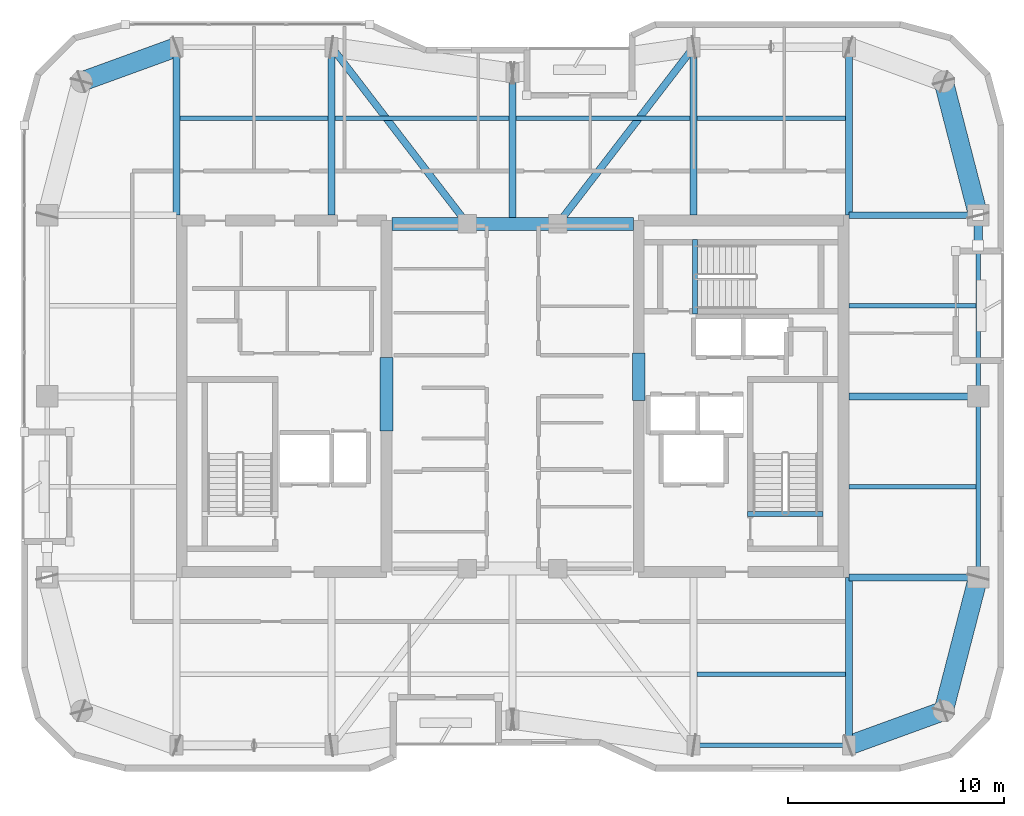
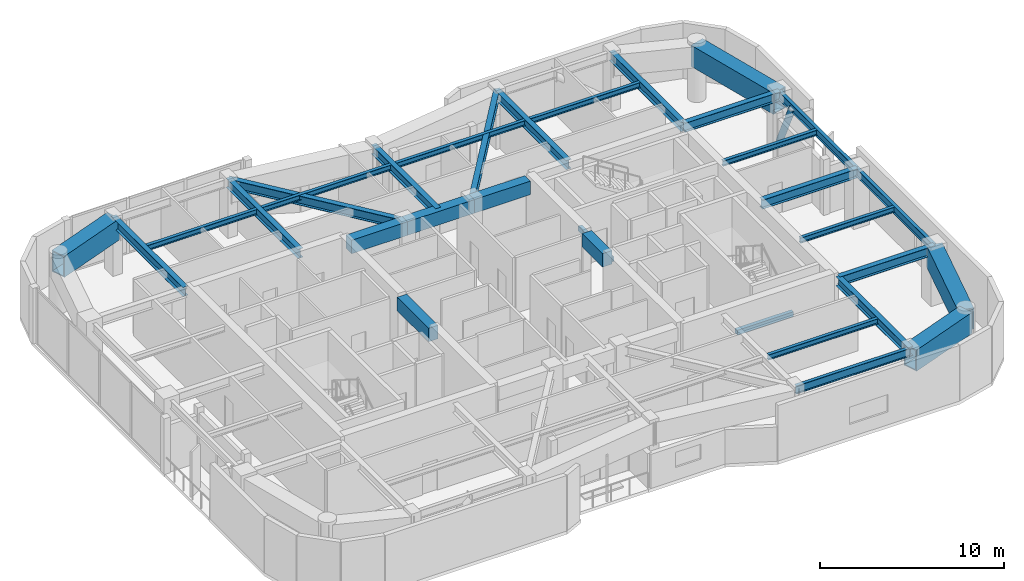
# One storey, part 5 of 15: 32 beams, 1 member.
"""IFC4 building model written with IfcOpenShell, lengths in metres."""

from ifc_helpers import new_model, si_unit, direction, frame, origin, origin_2d, place, context, subcontext, project, spatial, rectangle, hollow_rectangle, hollow_circle, i_section, extrude, material, material_profile, profile_set, type_object, element, save


model = new_model("IFC4")

# Units and contexts
model_context = context("Model", 3, precision=1e-05, world=origin(), true_north=direction((0.0, 1.0)))
body_context = subcontext(model_context, "Body", "Model", "MODEL_VIEW")
ifc_project = project(units=[si_unit("LENGTHUNIT", "METRE"), si_unit("AREAUNIT", "SQUARE_METRE"), si_unit("VOLUMEUNIT", "CUBIC_METRE"), si_unit("PLANEANGLEUNIT", "RADIAN"), si_unit("MASSUNIT", "GRAM", prefix="KILO")], contexts=[model_context])

# Site, building, storey
site_placement = place(None, origin())
site = spatial("IfcSite", under=ifc_project, at=site_placement, CompositionType="ELEMENT")
building_placement = place(site_placement, origin())
building = spatial("IfcBuilding", under=site, at=building_placement, Name="Kiyonajd Concourse Tower", CompositionType="ELEMENT")
storey_placement = place(building_placement, frame((0.0, 0.0, 274.5)))
storey = spatial("IfcBuildingStorey", under=building, at=storey_placement, Name="L69", CompositionType="ELEMENT", Elevation=274.5)

# Beams
ifc_material_1 = material(Name="Concrete C60/75", Category="concrete")
ifc_material_profile_1 = material_profile(ifc_material_1, rectangle(XDim=0.60009765625, YDim=0.89990234375, at=origin_2d()), Name="RCBM-600x900")
ifc_profile_set_1 = profile_set([ifc_material_profile_1], Name="Concrete C60/75")
beam_type_1 = type_object("IfcBeamType", Name="BM-COUP-900", PredefinedType="LINTEL", material=ifc_profile_set_1)
beam_1_placement = place(storey_placement, frame((42.39990234375, 44.0, 3.22998046875), z_axis=(1.0, 0.0, 0.0), x_axis=(0.0, 1.0, 0.0)))
element("IfcBeam", 1, at=beam_1_placement, inside=storey, type_object=beam_type_1, Name="L69 Core Coupling Beam N1", PredefinedType="LINTEL", context=body_context, shape_type="SweptSolid", body=[
    extrude(rectangle(XDim=0.60009765625, YDim=0.89990234375, at=origin_2d()), origin(), (0.0, 0.0, 1.0), 3.5),
])
beam_2_placement = place(storey_placement, frame((45.89990234375, 44.0, 3.22998046875), z_axis=(1.0, 0.0, 0.0), x_axis=(0.0, 1.0, 0.0)))
element("IfcBeam", 2, at=beam_2_placement, inside=storey, type_object=beam_type_1, Name="L69 Core Coupling Beam N2", PredefinedType="LINTEL", context=body_context, shape_type="SweptSolid", body=[
    extrude(rectangle(XDim=0.60009765625, YDim=0.89990234375, at=origin_2d()), origin(), (0.0, 0.0, 1.0), 4.2001953125),
])
beam_3_placement = place(storey_placement, frame((50.10009765625, 44.0, 3.22998046875), z_axis=(1.0, 0.0, 0.0), x_axis=(0.0, 1.0, 0.0)))
element("IfcBeam", 3, at=beam_3_placement, inside=storey, type_object=beam_type_1, Name="L69 Core Coupling Beam N3", PredefinedType="LINTEL", context=body_context, shape_type="SweptSolid", body=[
    extrude(rectangle(XDim=0.60009765625, YDim=0.89990234375, at=origin_2d()), origin(), (0.0, 0.0, 1.0), 3.5),
])
beam_4_placement = place(storey_placement, frame((42.14990234375, 34.39990234375, 3.22998046875), z_axis=(0.0, 1.0, 0.0), x_axis=(-1.0, 0.0, 0.0)))
element("IfcBeam", 4, at=beam_4_placement, inside=storey, type_object=beam_type_1, Name="L69 West Core Throat Coupling Lintel", PredefinedType="LINTEL", context=body_context, shape_type="SweptSolid", body=[
    extrude(rectangle(XDim=0.60009765625, YDim=0.89990234375, at=origin_2d()), origin(), (0.0, 0.0, 1.0), 3.400146484375),
])
beam_5_placement = place(storey_placement, frame((53.85009765625, 35.800048828125, 3.22998046875), z_axis=(0.0, 1.0, 0.0), x_axis=(-1.0, 0.0, 0.0)))
element("IfcBeam", 5, at=beam_5_placement, inside=storey, type_object=beam_type_1, Name="L69 East Core Throat Coupling Lintel", PredefinedType="LINTEL", context=body_context, shape_type="SweptSolid", body=[
    extrude(rectangle(XDim=0.60009765625, YDim=0.89990234375, at=origin_2d()), origin(), (0.0, 0.0, 1.0), 2.199951171875),
])
ifc_material_2 = material(Name="Steel ASTM A992 Grade 50", Category="steel")
ifc_material_profile_2 = material_profile(ifc_material_2, i_section(OverallWidth=0.205078125, OverallDepth=0.35400390625, WebThickness=0.009521484375, FlangeThickness=0.016845703125, at=origin_2d()), Name="W360X79")
ifc_profile_set_2 = profile_set([ifc_material_profile_2], Name="Steel ASTM A992 Grade 50")
beam_type_2 = type_object("IfcBeamType", Name="BM-JST-360", PredefinedType="JOIST", material=ifc_profile_set_2)
for number, where, z_axis, x_axis, name in (
    (6, (56.56201171875, 23.10009765625, 3.5029296875), (1.0, 0.0, 0.0), (0.0, 1.0, 0.0), "L69 Secondary Floor Joist"),
    (7, (32.56201171875, 48.89990234375, 3.5029296875), (1.0, 0.0, 0.0), (0.0, 1.0, 0.0), "L69 Secondary Floor Joist"),
):
    element("IfcBeam", number, at=place(storey_placement, frame(where, z_axis=z_axis, x_axis=x_axis)), inside=storey, type_object=beam_type_2, Name=name, PredefinedType="JOIST", context=body_context, shape_type="SweptSolid", body=[
        extrude(i_section(OverallWidth=0.205078125, OverallDepth=0.35400390625, WebThickness=0.009521484375, FlangeThickness=0.016845703125, at=origin_2d()), origin(), (0.0, 0.0, 1.0), 6.8759765625),
    ])
for number, where, z_axis, x_axis, name in (
    (8, (39.761962890625, 48.89990234375, 3.5029296875), (1.0, 0.0, 0.0), (0.0, 1.0, 0.0), "L69 Secondary Floor Joist"),
    (9, (48.162109375, 48.89990234375, 3.5029296875), (1.0, 0.0, 0.0), (0.0, 1.0, 0.0), "L69 Secondary Floor Joist"),
):
    element("IfcBeam", number, at=place(storey_placement, frame(where, z_axis=z_axis, x_axis=x_axis)), inside=storey, type_object=beam_type_2, Name=name, PredefinedType="JOIST", context=body_context, shape_type="SweptSolid", body=[
        extrude(i_section(OverallWidth=0.205078125, OverallDepth=0.35400390625, WebThickness=0.009521484375, FlangeThickness=0.016845703125, at=origin_2d()), origin(), (0.0, 0.0, 1.0), 8.075927734375),
    ])
beam_6_placement = place(storey_placement, frame((56.56201171875, 48.89990234375, 3.5029296875), z_axis=(1.0, 0.0, 0.0), x_axis=(0.0, 1.0, 0.0)))
element("IfcBeam", 10, at=beam_6_placement, inside=storey, type_object=beam_type_2, Name="L69 Secondary Floor Joist", PredefinedType="JOIST", context=body_context, shape_type="SweptSolid", body=[
    extrude(i_section(OverallWidth=0.205078125, OverallDepth=0.35400390625, WebThickness=0.009521484375, FlangeThickness=0.016845703125, at=origin_2d()), origin(), (0.0, 0.0, 1.0), 6.8759765625),
])
for number, where, z_axis, x_axis, name in (
    (11, (63.60009765625, 31.800048828125, 3.5029296875), (1.0, 0.0, 0.0), (0.0, 1.0, 0.0), "L69 East Secondary Floor Joist"),
    (12, (63.60009765625, 40.199951171875, 3.5029296875), (1.0, 0.0, 0.0), (0.0, 1.0, 0.0), "L69 East Secondary Floor Joist"),
):
    element("IfcBeam", number, at=place(storey_placement, frame(where, z_axis=z_axis, x_axis=x_axis)), inside=storey, type_object=beam_type_2, Name=name, PredefinedType="JOIST", context=body_context, shape_type="SweptSolid", body=[
        extrude(i_section(OverallWidth=0.205078125, OverallDepth=0.35400390625, WebThickness=0.009521484375, FlangeThickness=0.016845703125, at=origin_2d()), origin(), (0.0, 0.0, 1.0), 5.894287109375),
    ])
ifc_material_3 = material(Name="Concrete C50/60", Category="concrete")
ifc_material_profile_3 = material_profile(ifc_material_3, rectangle(XDim=0.239990234375, YDim=0.320068359375, at=origin_2d()), Name="RCBM-240x320")
ifc_profile_set_3 = profile_set([ifc_material_profile_3], Name="Concrete C50/60")
beam_type_3 = type_object("IfcBeamType", Name="BM-LNT-250", PredefinedType="LINTEL", material=ifc_profile_set_3)
beam_7_placement = place(storey_placement, frame((58.889892578125, 30.530029296875, -0.159912109375), z_axis=(1.0, 0.0, 0.0), x_axis=(0.0, 1.0, 0.0)))
element("IfcBeam", 13, at=beam_7_placement, inside=storey, type_object=beam_type_3, Name="L69 Stair ST2 Threshold Support Beam", PredefinedType="LINTEL", context=body_context, shape_type="SweptSolid", body=[
    extrude(rectangle(XDim=0.239990234375, YDim=0.320068359375, at=origin_2d()), origin(), (0.0, 0.0, 1.0), 3.52001953125),
])
beam_8_placement = place(storey_placement, frame((56.4599609375, 39.820068359375, -0.159912109375), z_axis=(0.0, 1.0, 0.0), x_axis=(-1.0, 0.0, 0.0)))
element("IfcBeam", 14, at=beam_8_placement, inside=storey, type_object=beam_type_3, Name="L69 Stair ST3 Threshold Support Beam", PredefinedType="LINTEL", context=body_context, shape_type="SweptSolid", body=[
    extrude(rectangle(XDim=0.239990234375, YDim=0.320068359375, at=origin_2d()), origin(), (0.0, 0.0, 1.0), 3.4599609375),
])
ifc_material_profile_4 = material_profile(ifc_material_2, i_section(OverallWidth=0.2109375, OverallDepth=0.5390625, WebThickness=0.01171875, FlangeThickness=0.018798828125, at=origin_2d()), Name="W530X109")
ifc_profile_set_4 = profile_set([ifc_material_profile_4], Name="Steel ASTM A992 Grade 50")
beam_type_4 = type_object("IfcBeamType", Name="BM-SPAN-530B", PredefinedType="SPANDREL", material=ifc_profile_set_4)
beam_9_placement = place(storey_placement, frame((56.39990234375, 19.800048828125, 3.410400390625), z_axis=(1.0, 0.0, 0.0), x_axis=(0.0, 1.0, 0.0)))
element("IfcBeam", 15, at=beam_9_placement, inside=storey, type_object=beam_type_4, Name="L69 Perimeter Bundled Tube Spandrel", PredefinedType="SPANDREL", context=body_context, shape_type="SweptSolid", body=[
    extrude(i_section(OverallWidth=0.2109375, OverallDepth=0.5390625, WebThickness=0.01171875, FlangeThickness=0.018798828125, at=origin_2d()), origin(), (0.0, 0.0, 1.0), 7.2001953125),
])
for number, where, z_axis, x_axis, name in (
    (16, (69.60009765625, 27.60009765625, 3.410400390625), (0.0, 1.0, 0.0), (-1.0, 0.0, 0.0), "L69 Perimeter Bundled Tube Spandrel"),
    (17, (69.60009765625, 36.0, 3.410400390625), (0.0, 1.0, 0.0), (-1.0, 0.0, 0.0), "L69 Perimeter Bundled Tube Spandrel"),
):
    element("IfcBeam", number, at=place(storey_placement, frame(where, z_axis=z_axis, x_axis=x_axis)), inside=storey, type_object=beam_type_4, Name=name, PredefinedType="SPANDREL", context=body_context, shape_type="SweptSolid", body=[
        extrude(i_section(OverallWidth=0.2109375, OverallDepth=0.5390625, WebThickness=0.01171875, FlangeThickness=0.018798828125, at=origin_2d()), origin(), (0.0, 0.0, 1.0), 8.39990234375),
    ])
ifc_material_profile_5 = material_profile(ifc_material_2, i_section(OverallWidth=0.326904296875, OverallDepth=0.6220703125, WebThickness=0.015380859375, FlangeThickness=0.0244140625, at=origin_2d()), Name="W610X195")
ifc_profile_set_5 = profile_set([ifc_material_profile_5], Name="Steel ASTM A992 Grade 50")
beam_type_5 = type_object("IfcBeamType", Name="BM-TWR-610A", PredefinedType="BEAM", material=ifc_profile_set_5)
for number, where, z_axis, x_axis, name in (
    (18, (39.60009765625, 52.199951171875, 3.368896484375), (0.609233709922, -0.792990722956, 0.0), (0.792990722956, 0.609233709922, 0.0), "L69 Core Tie Girder"),
    (19, (50.10009765625, 44.0, 3.368896484375), (0.609233709922, 0.792990722956, 0.0), (-0.792990722956, 0.609233709922, 0.0), "L69 Core Tie Girder"),
):
    element("IfcBeam", number, at=place(storey_placement, frame(where, z_axis=z_axis, x_axis=x_axis)), inside=storey, type_object=beam_type_5, Name=name, PredefinedType="BEAM", context=body_context, shape_type="SweptSolid", body=[
        extrude(i_section(OverallWidth=0.326904296875, OverallDepth=0.6220703125, WebThickness=0.015380859375, FlangeThickness=0.0244140625, at=origin_2d()), origin(), (0.0, 0.0, 1.0), 10.340576171875),
    ])
ifc_material_profile_6 = material_profile(ifc_material_2, i_section(OverallWidth=0.323974609375, OverallDepth=0.611083984375, WebThickness=0.0126953125, FlangeThickness=0.01904296875, at=origin_2d()), Name="W610X155")
ifc_profile_set_6 = profile_set([ifc_material_profile_6], Name="Steel ASTM A992 Grade 50")
beam_type_6 = type_object("IfcBeamType", Name="BM-TWR-610B", PredefinedType="BEAM", material=ifc_profile_set_6)
for number, where, z_axis, x_axis, name in (
    (20, (32.39990234375, 44.39990234375, 3.37451171875), (0.0, 1.0, 0.0), (-1.0, 0.0, 0.0), "L69 North Lease Girder"),
    (21, (39.60009765625, 44.39990234375, 3.37451171875), (0.0, 1.0, 0.0), (-1.0, 0.0, 0.0), "L69 North Lease Girder"),
    (22, (56.39990234375, 44.39990234375, 3.37451171875), (0.0, 1.0, 0.0), (-1.0, 0.0, 0.0), "L69 North Lease Girder"),
    (23, (63.60009765625, 19.800048828125, 3.37451171875), (0.0, 1.0, 0.0), (-1.0, 0.0, 0.0), "L69 South Lease Girder"),
    (24, (63.60009765625, 44.39990234375, 3.37451171875), (0.0, 1.0, 0.0), (-1.0, 0.0, 0.0), "L69 North Lease Girder"),
):
    element("IfcBeam", number, at=place(storey_placement, frame(where, z_axis=z_axis, x_axis=x_axis)), inside=storey, type_object=beam_type_6, Name=name, PredefinedType="BEAM", context=body_context, shape_type="SweptSolid", body=[
        extrude(i_section(OverallWidth=0.323974609375, OverallDepth=0.611083984375, WebThickness=0.0126953125, FlangeThickness=0.01904296875, at=origin_2d()), origin(), (0.0, 0.0, 1.0), 7.800048828125),
    ])
beam_10_placement = place(storey_placement, frame((48.0, 44.0, 3.37451171875), z_axis=(0.0, 1.0, 0.0), x_axis=(-1.0, 0.0, 0.0)))
element("IfcBeam", 25, at=beam_10_placement, inside=storey, type_object=beam_type_6, Name="L69 North Ribbon Girder", PredefinedType="BEAM", context=body_context, shape_type="SweptSolid", body=[
    extrude(i_section(OverallWidth=0.323974609375, OverallDepth=0.611083984375, WebThickness=0.0126953125, FlangeThickness=0.01904296875, at=origin_2d()), origin(), (0.0, 0.0, 1.0), 7.0),
])
for number, where, z_axis, x_axis, name in (
    (26, (63.60009765625, 27.60009765625, 3.37451171875), (1.0, 0.0, 0.0), (0.0, 1.0, 0.0), "L69 East Lease Girder"),
    (27, (63.60009765625, 36.0, 3.37451171875), (1.0, 0.0, 0.0), (0.0, 1.0, 0.0), "L69 East Lease Girder"),
    (28, (63.60009765625, 44.39990234375, 3.37451171875), (1.0, 0.0, 0.0), (0.0, 1.0, 0.0), "L69 East Lease Girder"),
):
    element("IfcBeam", number, at=place(storey_placement, frame(where, z_axis=z_axis, x_axis=x_axis)), inside=storey, type_object=beam_type_6, Name=name, PredefinedType="BEAM", context=body_context, shape_type="SweptSolid", body=[
        extrude(i_section(OverallWidth=0.323974609375, OverallDepth=0.611083984375, WebThickness=0.0126953125, FlangeThickness=0.01904296875, at=origin_2d()), origin(), (0.0, 0.0, 1.0), 6.0),
    ])
ifc_material_4 = material(Name="Steel ASTM A572 Grade 50", Category="steel")
ifc_material_profile_7 = material_profile(ifc_material_4, hollow_rectangle(XDim=0.89990234375, YDim=1.39990234375, WallThickness=0.070068359375, at=origin_2d()), Name="BOX-1400x900x70")
ifc_profile_set_7 = profile_set([ifc_material_profile_7], Name="Steel ASTM A572 Grade 50")
beam_type_7 = type_object("IfcBeamType", Name="BM-XFER-1400", PredefinedType="BEAM", material=ifc_profile_set_7)
beam_11_placement = place(storey_placement, frame((63.60009765625, 19.800048828125, 2.97998046875), z_axis=(0.939801036019, 0.341722127901, 0.0), x_axis=(-0.341722127901, 0.939801036019, 0.0)))
element("IfcBeam", 29, at=beam_11_placement, inside=storey, type_object=beam_type_7, Name="L69 Perimeter Bundled Tube Spandrel", PredefinedType="BEAM", context=body_context, shape_type="SweptSolid", body=[
    extrude(hollow_rectangle(XDim=0.89990234375, YDim=1.39990234375, WallThickness=0.070068359375, at=origin_2d()), origin(), (0.0, 0.0, 1.0), 4.681640625),
])
for number, where, z_axis, x_axis, name in (
    (30, (68.0, 21.39990234375, 2.97998046875), (0.249884937687, 0.968275538221, 0.0), (-0.968275538221, 0.249884937687, 0.0), "L69 Perimeter Bundled Tube Spandrel"),
    (31, (69.60009765625, 44.39990234375, 2.97998046875), (-0.249884937687, 0.968275538221, 0.0), (-0.968275538221, -0.249884937687, 0.0), "L69 Perimeter Bundled Tube Spandrel"),
):
    element("IfcBeam", number, at=place(storey_placement, frame(where, z_axis=z_axis, x_axis=x_axis)), inside=storey, type_object=beam_type_7, Name=name, PredefinedType="BEAM", context=body_context, shape_type="SweptSolid", body=[
        extrude(hollow_rectangle(XDim=0.89990234375, YDim=1.39990234375, WallThickness=0.070068359375, at=origin_2d()), origin(), (0.0, 0.0, 1.0), 6.4033203125),
    ])
beam_12_placement = place(storey_placement, frame((32.39990234375, 52.199951171875, 2.97998046875), z_axis=(-0.939801036019, -0.341722127901, 0.0), x_axis=(0.341722127901, -0.939801036019, 0.0)))
element("IfcBeam", 32, at=beam_12_placement, inside=storey, type_object=beam_type_7, Name="L69 Perimeter Bundled Tube Spandrel", PredefinedType="BEAM", context=body_context, shape_type="SweptSolid", body=[
    extrude(hollow_rectangle(XDim=0.89990234375, YDim=1.39990234375, WallThickness=0.070068359375, at=origin_2d()), origin(), (0.0, 0.0, 1.0), 4.681640625),
])

# Member
ifc_material_5 = material(Name="Steel ASTM A500 Grade C", Category="steel")
ifc_material_profile_8 = material_profile(ifc_material_5, hollow_circle(Radius=0.202880859375, WallThickness=0.01904296875, at=origin_2d()), Name="CHS-406x19")
ifc_profile_set_8 = profile_set([ifc_material_profile_8], Name="Steel ASTM A500 Grade C")
member_type = type_object("IfcMemberType", Name="MB-PB-HIGH", PredefinedType="BRACE", material=ifc_profile_set_8)
member_placement = place(storey_placement, frame((69.60009765625, 44.39990234375, 0.300048828125), z_axis=(0.0, -0.419410666774, 0.907796614114), x_axis=(1.0, 0.0, 0.0)))
element("IfcMember", 33, at=member_placement, inside=storey, type_object=member_type, Name="L69 Upper Zone Hollow Tube Brace PBE", PredefinedType="BRACE", context=body_context, shape_type="SweptSolid", body=[
    extrude(hollow_circle(Radius=0.202880859375, WallThickness=0.01904296875, at=origin_2d()), origin(), (0.0, 0.0, 1.0), 3.337890625),
])

save(model, "model.ifc")
